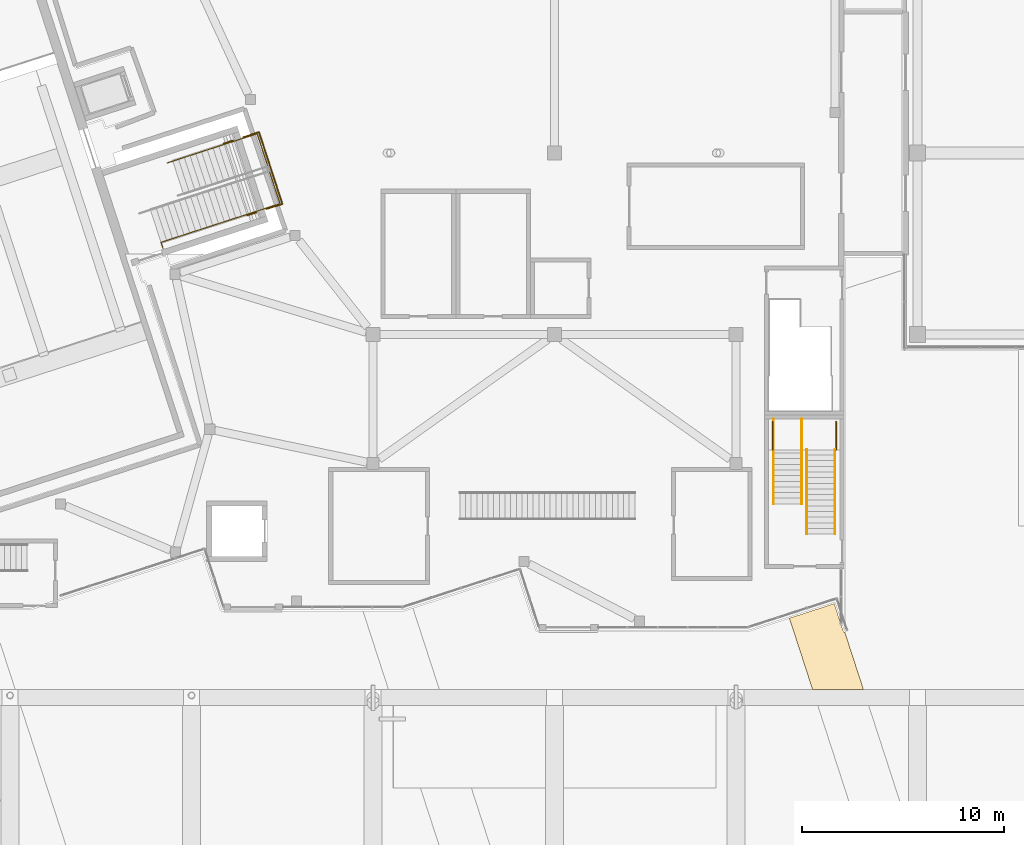
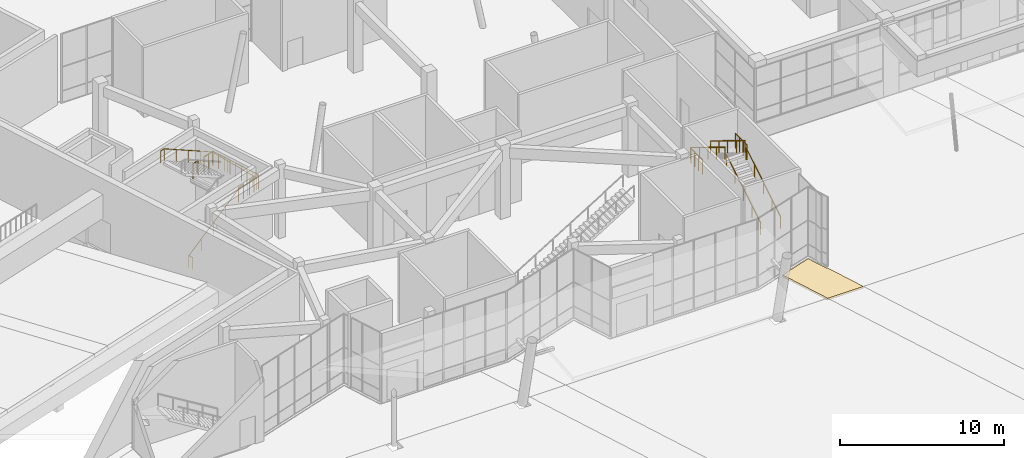
# One storey, part 64 of 72: 12 railings, 1 covering.
"""IFC4 building model written with IfcOpenShell, lengths in metres."""

from ifc_helpers import new_model, si_unit, direction, frame, origin, origin_2d, place, context, subcontext, project, spatial, polyline, circle, outline, extrude, material, layer, layer_set, type_object, element, save


model = new_model("IFC4")

# Units and contexts
model_context = context("Model", 3, precision=1e-05, world=origin(), true_north=direction((0.0, 1.0)))
body_context = subcontext(model_context, "Body", "Model", "MODEL_VIEW")
ifc_project = project(units=[si_unit("LENGTHUNIT", "METRE"), si_unit("AREAUNIT", "SQUARE_METRE"), si_unit("VOLUMEUNIT", "CUBIC_METRE"), si_unit("PLANEANGLEUNIT", "RADIAN"), si_unit("MASSUNIT", "GRAM", prefix="KILO")], contexts=[model_context])

# Site, building, storey
site_placement = place(None, origin())
site = spatial("IfcSite", under=ifc_project, at=site_placement, CompositionType="ELEMENT")
building_placement = place(site_placement, origin())
building = spatial("IfcBuilding", under=site, at=building_placement, Name="Tuart Plaza Theatre", CompositionType="ELEMENT")
storey_placement = place(building_placement, origin())
storey = spatial("IfcBuildingStorey", under=building, at=storey_placement, Name="L00", CompositionType="ELEMENT", Elevation=0.0)

# Covering
ifc_material_1 = material(Name="Concrete paving, power-floated cast in place", Category="concrete")
ifc_layer = layer(ifc_material_1, 0.14990234375)
ifc_layer_set = layer_set([ifc_layer], Name="COVERING-CAST-CONCRETE-PAVING150")
covering_type = type_object("IfcCoveringType", Name="COVERING-CAST-CONCRETE-PAVING150", PredefinedType="FLOORING", material=ifc_layer_set)
covering_placement = place(storey_placement, frame((0.0, 0.0, -0.14990234375)))
element("IfcCovering", 1, at=covering_placement, inside=storey, type_object=covering_type, Name="D-COV-FORECOURT-CB-1-2", PredefinedType="FLOORING", context=body_context, shape_type="SweptSolid", body=[
    extrude(outline(polyline([(110.34033203125, 41.24853515625), (110.315673828125, 41.277587890625), (109.86767578125, 42.656494140625), (107.641845703125, 41.933349609375), (108.789794921875, 38.39990234375), (111.3134765625, 38.39990234375), (110.392822265625, 41.2333984375), (110.34033203125, 41.24853515625)])), origin(), (0.0, 0.0, 1.0), 0.14990234375),
])

# Railings
ifc_material_2 = material(Name="Steel Grade C350L0", Category="steel")
railing_type_1 = type_object("IfcRailingType", Name="RAILING Guard 1100", PredefinedType="GUARDRAIL", material=ifc_material_2)
railing_1_placement = place(storey_placement, frame((80.759765625, 61.904541015625, 2.75)))
element("IfcRailing", 2, at=railing_1_placement, inside=storey, type_object=railing_type_1, Name="GR39", PredefinedType="GUARDRAIL", context=body_context, shape_type="SweptSolid", body=[
    extrude(circle(Radius=0.02490234375, at=origin_2d()), frame((0.0, 0.0, 1.0751953125), z_axis=(0.951071841206, 0.30896982517, 0.0), x_axis=(-0.30896982517, 0.951071841206, 0.0)), (0.0, 0.0, 1.0), 0.474853515625),
    extrude(circle(Radius=0.02001953125, at=origin_2d()), origin(), (0.0, 0.0, 1.0), 1.050048828125),
    extrude(circle(Radius=0.02001953125, at=origin_2d()), frame((0.45166015625, 0.146728515625, 0.0)), (0.0, 0.0, 1.0), 1.050048828125),
])
railing_2_placement = place(storey_placement, frame((81.72509765625, 62.218017578125, 2.75)))
element("IfcRailing", 3, at=railing_2_placement, inside=storey, type_object=railing_type_1, Name="GR40", PredefinedType="GUARDRAIL", context=body_context, shape_type="SweptSolid", body=[
    extrude(circle(Radius=0.02490234375, at=origin_2d()), frame((0.0, 0.0, 1.0751953125), z_axis=(0.950994427718, 0.309208018086, 0.0), x_axis=(-0.309208018086, 0.950994427718, 0.0)), (0.0, 0.0, 1.0), 0.81494140625),
    extrude(circle(Radius=0.02001953125, at=origin_2d()), origin(), (0.0, 0.0, 1.0), 1.050048828125),
    extrude(circle(Radius=0.02001953125, at=origin_2d()), frame((0.387451171875, 0.1259765625, 0.0)), (0.0, 0.0, 1.0), 1.050048828125),
    extrude(circle(Radius=0.02001953125, at=origin_2d()), frame((0.77490234375, 0.251953125, 0.0)), (0.0, 0.0, 1.0), 1.050048828125),
])
railing_3_placement = place(storey_placement, frame((82.5, 62.469970703125, 2.75)))
element("IfcRailing", 4, at=railing_3_placement, inside=storey, type_object=railing_type_1, Name="GR41", PredefinedType="GUARDRAIL", context=body_context, shape_type="SweptSolid", body=[
    extrude(circle(Radius=0.02490234375, at=origin_2d()), frame((0.0, 0.0, 1.0751953125), z_axis=(-0.308991853353, 0.951064684741, 0.0), x_axis=(-0.951064684741, -0.308991853353, 0.0)), (0.0, 0.0, 1.0), 3.75),
    extrude(circle(Radius=0.02001953125, at=origin_2d()), origin(), (0.0, 0.0, 1.0), 1.050048828125),
    extrude(circle(Radius=0.02001953125, at=origin_2d()), frame((-0.144775390625, 0.44580078125, 0.0)), (0.0, 0.0, 1.0), 1.050048828125),
    extrude(circle(Radius=0.02001953125, at=origin_2d()), frame((-0.28955078125, 0.8916015625, 0.0)), (0.0, 0.0, 1.0), 1.050048828125),
    extrude(circle(Radius=0.02001953125, at=origin_2d()), frame((-0.4345703125, 1.33740234375, 0.0)), (0.0, 0.0, 1.0), 1.050048828125),
    extrude(circle(Radius=0.02001953125, at=origin_2d()), frame((-0.579345703125, 1.783203125, 0.0)), (0.0, 0.0, 1.0), 1.050048828125),
    extrude(circle(Radius=0.02001953125, at=origin_2d()), frame((-0.72412109375, 2.22900390625, 0.0)), (0.0, 0.0, 1.0), 1.050048828125),
    extrude(circle(Radius=0.02001953125, at=origin_2d()), frame((-0.869140625, 2.6748046875, 0.0)), (0.0, 0.0, 1.0), 1.050048828125),
    extrude(circle(Radius=0.02001953125, at=origin_2d()), frame((-1.013916015625, 3.12060546875, 0.0)), (0.0, 0.0, 1.0), 1.050048828125),
    extrude(circle(Radius=0.02001953125, at=origin_2d()), frame((-1.15869140625, 3.56640625, 0.0)), (0.0, 0.0, 1.0), 1.050048828125),
])
railing_4_placement = place(storey_placement, frame((81.34130859375, 66.036376953125, 2.75)))
element("IfcRailing", 5, at=railing_4_placement, inside=storey, type_object=railing_type_1, Name="GR42", PredefinedType="GUARDRAIL", context=body_context, shape_type="SweptSolid", body=[
    extrude(circle(Radius=0.02490234375, at=origin_2d()), frame((0.0, 0.0, 1.0751953125), z_axis=(-0.951111088904, -0.308848986665, 0.0), x_axis=(0.308848986665, -0.951111088904, 0.0)), (0.0, 0.0, 1.0), 0.81494140625),
    extrude(circle(Radius=0.02001953125, at=origin_2d()), origin(), (0.0, 0.0, 1.0), 1.050048828125),
    extrude(circle(Radius=0.02001953125, at=origin_2d()), frame((-0.3876953125, -0.1259765625, 0.0)), (0.0, 0.0, 1.0), 1.050048828125),
    extrude(circle(Radius=0.02001953125, at=origin_2d()), frame((-0.775146484375, -0.251708984375, 0.0)), (0.0, 0.0, 1.0), 1.050048828125),
])
railing_5_placement = place(storey_placement, frame((80.052490234375, 65.61767578125, 2.75)))
element("IfcRailing", 6, at=railing_5_placement, inside=storey, type_object=railing_type_1, Name="GR43", PredefinedType="GUARDRAIL", context=body_context, shape_type="SweptSolid", body=[
    extrude(circle(Radius=0.02490234375, at=origin_2d()), frame((0.0, 0.0, 1.0751953125), z_axis=(-0.951071841206, -0.30896982517, 0.0), x_axis=(0.30896982517, -0.951071841206, 0.0)), (0.0, 0.0, 1.0), 0.474853515625),
    extrude(circle(Radius=0.02001953125, at=origin_2d()), origin(), (0.0, 0.0, 1.0), 1.050048828125),
    extrude(circle(Radius=0.02001953125, at=origin_2d()), frame((-0.45166015625, -0.146728515625, 0.0)), (0.0, 0.0, 1.0), 1.050048828125),
])
railing_6_placement = place(storey_placement, frame((109.955078125, 50.280029296875, 2.75)))
element("IfcRailing", 7, at=railing_6_placement, inside=storey, type_object=railing_type_1, Name="GR145", PredefinedType="GUARDRAIL", context=body_context, shape_type="SweptSolid", body=[
    extrude(circle(Radius=0.02490234375, at=origin_2d()), frame((0.0, 0.0, 1.0751953125), z_axis=(0.0, 1.0, 0.0), x_axis=(-1.0, 0.0, 0.0)), (0.0, 0.0, 1.0), 1.39990234375),
    extrude(circle(Radius=0.02001953125, at=origin_2d()), origin(), (0.0, 0.0, 1.0), 1.050048828125),
    extrude(circle(Radius=0.02001953125, at=origin_2d()), frame((0.0, 0.466552734375, 0.0)), (0.0, 0.0, 1.0), 1.050048828125),
    extrude(circle(Radius=0.02001953125, at=origin_2d()), frame((0.0, 0.933349609375, 0.0)), (0.0, 0.0, 1.0), 1.050048828125),
    extrude(circle(Radius=0.02001953125, at=origin_2d()), frame((0.0, 1.39990234375, 0.0)), (0.0, 0.0, 1.0), 1.050048828125),
])
railing_7_placement = place(storey_placement, frame((106.804931640625, 51.679931640625, 2.75)))
element("IfcRailing", 8, at=railing_7_placement, inside=storey, type_object=railing_type_1, Name="GR146", PredefinedType="GUARDRAIL", context=body_context, shape_type="SweptSolid", body=[
    extrude(circle(Radius=0.02490234375, at=origin_2d()), frame((0.0, 0.0, 1.0751953125), z_axis=(0.0, -1.0, 0.0), x_axis=(1.0, 0.0, 0.0)), (0.0, 0.0, 1.0), 1.39990234375),
    extrude(circle(Radius=0.02001953125, at=origin_2d()), origin(), (0.0, 0.0, 1.0), 1.050048828125),
    extrude(circle(Radius=0.02001953125, at=origin_2d()), frame((0.0, -0.466552734375, 0.0)), (0.0, 0.0, 1.0), 1.050048828125),
    extrude(circle(Radius=0.02001953125, at=origin_2d()), frame((0.0, -0.933349609375, 0.0)), (0.0, 0.0, 1.0), 1.050048828125),
    extrude(circle(Radius=0.02001953125, at=origin_2d()), frame((0.0, -1.39990234375, 0.0)), (0.0, 0.0, 1.0), 1.050048828125),
])
ifc_material_3 = material(Name="Steel Grade C350L0", Category="steel")
railing_type_2 = type_object("IfcRailingType", Name="RAILING Handrail 900", PredefinedType="HANDRAIL", material=ifc_material_3)
railing_8_placement = place(storey_placement, frame((76.580810546875, 60.26806640625, 0.171875)))
element("IfcRailing", 9, at=railing_8_placement, inside=storey, type_object=railing_type_2, Name="HR26", PredefinedType="HANDRAIL", context=body_context, shape_type="SweptSolid", body=[
    extrude(circle(Radius=0.0224609375, at=origin_2d()), frame((0.0, 0.0, 0.87744140625), z_axis=(-0.309243793896, 0.950982794764, 0.0), x_axis=(-0.950982794764, -0.309243793896, 0.0)), (0.0, 0.0, 1.0), 0.31494140625),
    extrude(circle(Radius=0.0224609375, at=origin_2d()), frame((-0.097412109375, 0.299560546875, 0.87744140625), z_axis=(0.825218619006, 0.268137207864, 0.497108306714), x_axis=(-0.309024734286, 0.951054001411, 0.0)), (0.0, 0.0, 1.0), 5.186279296875),
    extrude(circle(Radius=0.0224609375, at=origin_2d()), frame((4.182373046875, 1.690185546875, 3.45556640625), z_axis=(0.951096313471, 0.308894484414, 0.0), x_axis=(-0.308894484414, 0.951096313471, 0.0)), (0.0, 0.0, 1.0), 1.7001953125),
    extrude(circle(Radius=0.0224609375, at=origin_2d()), frame((5.79931640625, 2.21533203125, 3.45556640625), z_axis=(-0.308407310416, 0.949186914894, 0.06268278452), x_axis=(-0.951057168147, -0.309014988174, 0.0)), (0.0, 0.0, 1.0), 3.6572265625),
    extrude(circle(Radius=0.0224609375, at=origin_2d()), frame((4.67138671875, 5.686767578125, 3.684814453125), z_axis=(-0.825238232233, -0.26811456247, 0.497087961484), x_axis=(0.308994485023, -0.951063829732, 0.0)), (0.0, 0.0, 1.0), 5.071044921875),
    extrude(circle(Radius=0.0224609375, at=origin_2d()), frame((0.486572265625, 4.3271484375, 6.20556640625), z_axis=(-0.950938293792, -0.309380609282, 0.0), x_axis=(0.309380609282, -0.950938293792, 0.0)), (0.0, 0.0, 1.0), 0.2998046875),
    extrude(circle(Radius=0.01513671875, at=origin_2d()), origin(), (0.0, 0.0, 1.0), 0.85498046875),
    extrude(circle(Radius=0.01513671875, at=origin_2d()), frame((-0.097412109375, 0.299560546875, 0.0)), (0.0, 0.0, 1.0), 0.85498046875),
    extrude(circle(Radius=0.01513671875, at=origin_2d()), frame((0.97265625, 0.647216796875, 0.64453125)), (0.0, 0.0, 1.0), 0.85498046875),
    extrude(circle(Radius=0.01513671875, at=origin_2d()), frame((2.04248046875, 0.994873046875, 1.2890625)), (0.0, 0.0, 1.0), 0.85498046875),
    extrude(circle(Radius=0.01513671875, at=origin_2d()), frame((3.1123046875, 1.342529296875, 1.93359375)), (0.0, 0.0, 1.0), 0.85498046875),
    extrude(circle(Radius=0.01513671875, at=origin_2d()), frame((4.182373046875, 1.690185546875, 2.578125)), (0.0, 0.0, 1.0), 0.85498046875),
    extrude(circle(Radius=0.01513671875, at=origin_2d()), frame((4.99072265625, 1.95263671875, 2.578125)), (0.0, 0.0, 1.0), 0.85498046875),
    extrude(circle(Radius=0.01513671875, at=origin_2d()), frame((5.79931640625, 2.21533203125, 2.578125)), (0.0, 0.0, 1.0), 0.85498046875),
    extrude(circle(Radius=0.01513671875, at=origin_2d()), frame((5.42333984375, 3.37255859375, 2.654541015625)), (0.0, 0.0, 1.0), 0.85498046875),
    extrude(circle(Radius=0.01513671875, at=origin_2d()), frame((5.04736328125, 4.529541015625, 2.73095703125)), (0.0, 0.0, 1.0), 0.85498046875),
    extrude(circle(Radius=0.01513671875, at=origin_2d()), frame((4.67138671875, 5.686767578125, 2.807373046875)), (0.0, 0.0, 1.0), 0.85498046875),
    extrude(circle(Radius=0.01513671875, at=origin_2d()), frame((3.625244140625, 5.346923828125, 3.4375)), (0.0, 0.0, 1.0), 0.85498046875),
    extrude(circle(Radius=0.01513671875, at=origin_2d()), frame((2.5791015625, 5.0068359375, 4.06787109375)), (0.0, 0.0, 1.0), 0.85498046875),
    extrude(circle(Radius=0.01513671875, at=origin_2d()), frame((1.53271484375, 4.6669921875, 4.697998046875)), (0.0, 0.0, 1.0), 0.85498046875),
    extrude(circle(Radius=0.01513671875, at=origin_2d()), frame((0.486572265625, 4.3271484375, 5.328125)), (0.0, 0.0, 1.0), 0.85498046875),
    extrude(circle(Radius=0.01513671875, at=origin_2d()), frame((0.201416015625, 4.234375, 5.328125)), (0.0, 0.0, 1.0), 0.85498046875),
])
for number, where, name in (
    (10, (108.5048828125, 46.10009765625, 0.171875), "HR79"),
    (11, (109.905029296875, 46.10009765625, 0.171875), "HR80"),
):
    element("IfcRailing", number, at=place(storey_placement, frame(where)), inside=storey, type_object=railing_type_2, Name=name, PredefinedType="HANDRAIL", context=body_context, shape_type="SweptSolid", body=[
        extrude(circle(Radius=0.0224609375, at=origin_2d()), frame((0.0, 0.0, 0.87744140625), z_axis=(0.0, 0.852242915053, 0.523146264196), x_axis=(-1.0, 0.0, 0.0)), (0.0, 0.0, 1.0), 4.92822265625),
        extrude(circle(Radius=0.01513671875, at=origin_2d()), origin(), (0.0, 0.0, 1.0), 0.85498046875),
        extrude(circle(Radius=0.01513671875, at=origin_2d()), frame((0.0, 1.050048828125, 0.64453125)), (0.0, 0.0, 1.0), 0.85498046875),
        extrude(circle(Radius=0.01513671875, at=origin_2d()), frame((0.0, 2.10009765625, 1.2890625)), (0.0, 0.0, 1.0), 0.85498046875),
        extrude(circle(Radius=0.01513671875, at=origin_2d()), frame((0.0, 3.14990234375, 1.93359375)), (0.0, 0.0, 1.0), 0.85498046875),
        extrude(circle(Radius=0.01513671875, at=origin_2d()), frame((0.0, 4.199951171875, 2.578125)), (0.0, 0.0, 1.0), 0.85498046875),
    ])
for number, where, name in (
    (12, (108.2548828125, 51.800048828125, 2.921875), "HR81"),
    (13, (106.85498046875, 51.800048828125, 2.921875), "HR82"),
):
    element("IfcRailing", number, at=place(storey_placement, frame(where)), inside=storey, type_object=railing_type_2, Name=name, PredefinedType="HANDRAIL", context=body_context, shape_type="SweptSolid", body=[
        extrude(circle(Radius=0.0224609375, at=origin_2d()), frame((0.0, 0.0, 0.87744140625), z_axis=(0.0, -0.852242915053, 0.523146264196), x_axis=(1.0, 0.0, 0.0)), (0.0, 0.0, 1.0), 4.92822265625),
        extrude(circle(Radius=0.01513671875, at=origin_2d()), origin(), (0.0, 0.0, 1.0), 0.85498046875),
        extrude(circle(Radius=0.01513671875, at=origin_2d()), frame((0.0, -1.050048828125, 0.64453125)), (0.0, 0.0, 1.0), 0.85498046875),
        extrude(circle(Radius=0.01513671875, at=origin_2d()), frame((0.0, -2.10009765625, 1.2890625)), (0.0, 0.0, 1.0), 0.85498046875),
        extrude(circle(Radius=0.01513671875, at=origin_2d()), frame((0.0, -3.14990234375, 1.93359375)), (0.0, 0.0, 1.0), 0.85498046875),
        extrude(circle(Radius=0.01513671875, at=origin_2d()), frame((0.0, -4.199951171875, 2.578125)), (0.0, 0.0, 1.0), 0.85498046875),
    ])

save(model, "model.ifc")
